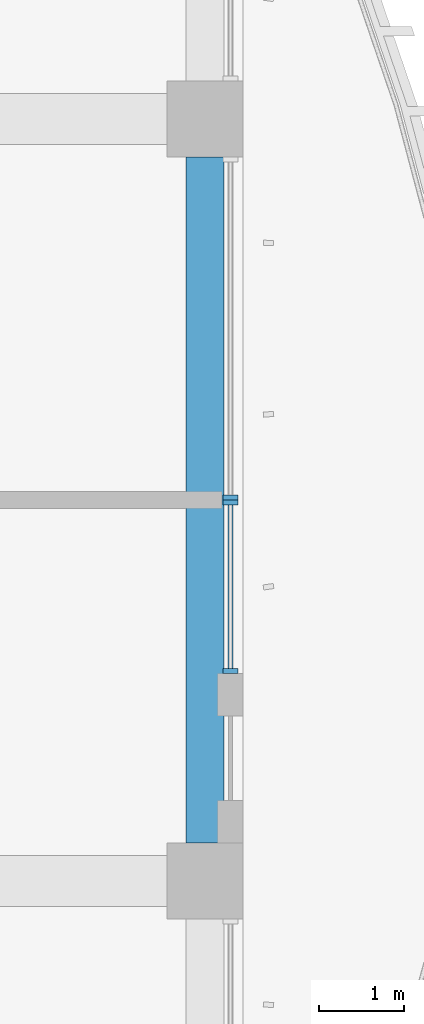
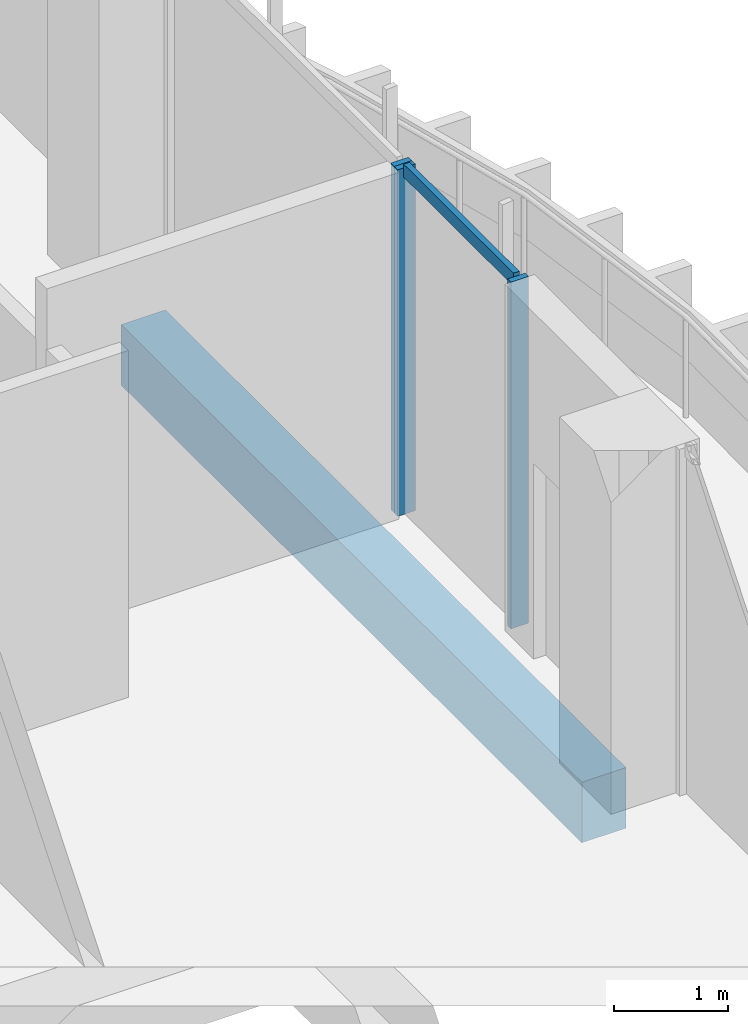
# One storey, part 9 of 29: 4 members, 1 beam, 2 elements without a shape of their own.
"""IFC4 building model written with IfcOpenShell, lengths in metres."""

import ifcopenshell
import ifcopenshell.guid

model = None  # the IFC model being written
_history = None  # IfcOwnerHistory: only IFC2X3 demands one
_inside = {}  # id of a spatial element -> (the spatial element, [elements in it])
_under = {}  # id of a project, library or spatial element -> (it, [spatial elements below it])
_declared = {}  # id of a project -> (the project, [libraries it declares])
_typed = {}  # id of a type object -> (the type object, [elements of that type])
_made_of = {}  # id of a material, layer set ... -> (it, [elements and type objects made of it])


def new_model(schema):
    """Start an empty IFC model of exactly this schema.

    Asked for "IFC4X3", IfcOpenShell would pick the latest addendum, in which some entities
    have other attributes; the version numbers below select the first issue.
    IFC2X3 requires an IfcOwnerHistory on every rooted entity: one is made here for all.
    """
    global model, _history
    if schema == "IFC4X3":
        model = ifcopenshell.file(schema_version=(4, 3, 0, 0))
    else:
        model = ifcopenshell.file(schema=schema)
    _inside.clear()
    _under.clear()
    _declared.clear()
    _typed.clear()
    _made_of.clear()
    _history = None
    if model.schema == "IFC2X3":
        org = make("IfcOrganization", Name="unknown")
        user = make(
            "IfcPersonAndOrganization",
            ThePerson=make("IfcPerson", FamilyName="unknown"),
            TheOrganization=org,
        )
        app = make(
            "IfcApplication",
            ApplicationDeveloper=org,
            Version="unknown",
            ApplicationFullName="unknown",
            ApplicationIdentifier="unknown",
        )
        _history = make(
            "IfcOwnerHistory",
            OwningUser=user,
            OwningApplication=app,
            ChangeAction="ADDED",
            CreationDate=0,
        )
    return model


def make(cls, **values):
    """One entity of the class cls with the attributes given. An attribute that is None is left unset."""
    return model.create_entity(
        cls, **{name: value for name, value in values.items() if value is not None}
    )


def rooted(cls, **values):
    """An entity with a GlobalId (a new one), such as an element, a storey or a relation."""
    return make(cls, GlobalId=ifcopenshell.guid.new(), OwnerHistory=_history, **values)


def si_unit(unit_type, name, prefix=None):
    """IfcSIUnit, for example si_unit("LENGTHUNIT", "METRE", prefix="MILLI")."""
    return make("IfcSIUnit", UnitType=unit_type, Prefix=prefix, Name=name)


def assignment(units):
    """IfcUnitAssignment: the units of a project."""
    return None if units is None else make("IfcUnitAssignment", Units=units)


def point(xyz):
    """IfcCartesianPoint."""
    return None if xyz is None else make("IfcCartesianPoint", Coordinates=xyz)


def direction(xyz):
    """IfcDirection."""
    return None if xyz is None else make("IfcDirection", DirectionRatios=xyz)


def frame(location, z_axis=None, x_axis=None):
    """IfcAxis2Placement3D, a coordinate frame: its origin and axes. An axis left out is left unset."""
    return make(
        "IfcAxis2Placement3D",
        Location=point(location),
        Axis=direction(z_axis),
        RefDirection=direction(x_axis),
    )


def frame_2d(location, x_axis=None):
    """IfcAxis2Placement2D, a coordinate frame in the plane: its origin and x axis."""
    return make(
        "IfcAxis2Placement2D", Location=point(location), RefDirection=direction(x_axis)
    )


def origin():
    """The frame at (0, 0, 0) with its axes left unset."""
    return frame((0.0, 0.0, 0.0))


def origin_2d():
    """The frame at (0, 0) in the plane with its x axis left unset."""
    return frame_2d((0.0, 0.0))


def place(relative_to, where):
    """IfcLocalPlacement: puts the frame where relative to a parent placement (None: the world)."""
    return make(
        "IfcLocalPlacement", PlacementRelTo=relative_to, RelativePlacement=where
    )


def context(
    kind, dimensions, precision=None, world=None, true_north=None, identifier=None
):
    """IfcGeometricRepresentationContext, for example the 3D "Model" context."""
    return make(
        "IfcGeometricRepresentationContext",
        ContextIdentifier=identifier,
        ContextType=kind,
        CoordinateSpaceDimension=dimensions,
        Precision=precision,
        WorldCoordinateSystem=world,
        TrueNorth=true_north,
    )


def subcontext(parent, identifier, kind, view, scale=None):
    """IfcGeometricRepresentationSubContext, for example "Body" below "Model"."""
    return make(
        "IfcGeometricRepresentationSubContext",
        ContextIdentifier=identifier,
        ContextType=kind,
        ParentContext=parent,
        TargetScale=scale,
        TargetView=view,
    )


def project(units=None, contexts=None):
    """IfcProject with its units and contexts."""
    return rooted(
        "IfcProject",
        Name="project",
        RepresentationContexts=contexts,
        UnitsInContext=assignment(units),
    )


def spatial(cls, under=None, at=None, **own):
    """A site, building, storey or space (cls), placed at a placement, below another one or the project."""
    s = rooted(cls, ObjectPlacement=at, **own)
    if under is not None:
        _under.setdefault(under.id(), (under, []))[1].append(s)
    return s


def profile(cls, at=None, kind="AREA", **sizes):
    """A parametric profile (cls). Its sizes go by their IFC names, for example OverallWidth=200.0."""
    return make(cls, ProfileType=kind, Position=at, **sizes)


def rectangle(**sizes):
    """IfcRectangleProfileDef."""
    return profile("IfcRectangleProfileDef", **sizes)


def extrude(swept, where, along, depth):
    """IfcExtrudedAreaSolid: the profile swept, set in the frame where, extruded along a direction by depth."""
    return make(
        "IfcExtrudedAreaSolid",
        SweptArea=swept,
        Position=where,
        ExtrudedDirection=direction(along),
        Depth=depth,
    )


def shape(context_of_items, identifier, shape_type, items):
    """IfcShapeRepresentation: the items that make up one representation, for example the "Body"."""
    return make(
        "IfcShapeRepresentation",
        ContextOfItems=context_of_items,
        RepresentationIdentifier=identifier,
        RepresentationType=shape_type,
        Items=items,
    )


def source(mapping_origin, context_of_items, identifier, shape_type, items):
    """IfcRepresentationMap: a shape defined once, which mapped items show again and again."""
    return make(
        "IfcRepresentationMap",
        MappingOrigin=mapping_origin,
        MappedRepresentation=shape(context_of_items, identifier, shape_type, items),
    )


def transform(
    local_origin,
    x_axis=None,
    y_axis=None,
    z_axis=None,
    scale=None,
    scale2=None,
    scale3=None,
    uniform=True,
):
    """IfcCartesianTransformationOperator3D, or its non-uniform kind. x_axis, y_axis, z_axis: its Axis1, 2, 3."""
    if uniform:
        return make(
            "IfcCartesianTransformationOperator3D",
            Axis1=direction(x_axis),
            Axis2=direction(y_axis),
            LocalOrigin=point(local_origin),
            Scale=scale,
            Axis3=direction(z_axis),
        )
    return make(
        "IfcCartesianTransformationOperator3DnonUniform",
        Axis1=direction(x_axis),
        Axis2=direction(y_axis),
        LocalOrigin=point(local_origin),
        Scale=scale,
        Axis3=direction(z_axis),
        Scale2=scale2,
        Scale3=scale3,
    )


def mapped(mapping_source, mapping_target):
    """IfcMappedItem: shows the shape of a source again, moved by a transform."""
    return make(
        "IfcMappedItem", MappingSource=mapping_source, MappingTarget=mapping_target
    )


def material(Name=None, Category=None):
    """IfcMaterial."""
    return make("IfcMaterial", Name=Name, Category=Category)


def material_profile(
    of_material, cross_section, Name=None, Category=None, Priority=None
):
    """IfcMaterialProfile: a cross section and its material."""
    return make(
        "IfcMaterialProfile",
        Name=Name,
        Material=of_material,
        Profile=cross_section,
        Priority=Priority,
        Category=Category,
    )


def profile_set(profiles, Name=None, composite=None):
    """IfcMaterialProfileSet."""
    return make(
        "IfcMaterialProfileSet",
        Name=Name,
        MaterialProfiles=profiles,
        CompositeProfile=composite,
    )


def made_of(thing, what):
    """Note that an element or type object is made of a material, layer set ...; save() writes the relation."""
    if what is not None:
        _made_of.setdefault(what.id(), (what, []))[1].append(thing)
    return thing


def type_object(cls, material=None, **own):
    """A type object (cls), such as IfcWallType, which elements share."""
    return made_of(rooted(cls, **own), material)


def element(
    cls,
    number,
    at=None,
    inside=None,
    cuts=None,
    type_object=None,
    material=None,
    context=None,
    identifier="Body",
    shape_type=None,
    held_by="IfcProductDefinitionShape",
    body=None,
    shapes=None,
    **own,
):
    """One element of the class cls, such as IfcWall. Its Tag is "e" and its number.

    at: its placement. inside: the storey or other place that contains it. cuts: it is an
    opening in that element (IfcRelVoidsElement). A single representation is given by context,
    identifier, shape_type and body (its items); several are given by shapes. held_by: the class
    of the entity that holds the representations. save() writes the other relations.
    """
    e = rooted(cls, Tag="e%d" % number, ObjectPlacement=at, **own)
    if body is not None:
        shapes = [shape(context, identifier, shape_type, body)]
    if shapes is not None:
        e.Representation = make(held_by, Representations=shapes)
    if inside is not None:
        _inside.setdefault(inside.id(), (inside, []))[1].append(e)
    if cuts is not None:
        rooted(
            "IfcRelVoidsElement", RelatingBuildingElement=cuts, RelatedOpeningElement=e
        )
    if type_object is not None:
        _typed.setdefault(type_object.id(), (type_object, []))[1].append(e)
    return made_of(e, material)


def aggregate(whole, parts):
    """IfcRelAggregates: a whole, such as a stair, and the parts it consists of."""
    return rooted("IfcRelAggregates", RelatingObject=whole, RelatedObjects=parts)


def save(model, path):
    """Write the relations noted so far, then the file.

    IfcRelAggregates (storeys below a building ...), IfcRelContainedInSpatialStructure (elements
    in a storey), IfcRelDefinesByType, IfcRelAssociatesMaterial and IfcRelDeclares: one each for
    every whole, place, type object, material and project.
    """
    for whole, parts in _under.values():
        aggregate(whole, parts)
    for where, things in _inside.values():
        rooted(
            "IfcRelContainedInSpatialStructure",
            RelatedElements=things,
            RelatingStructure=where,
        )
    for kind, things in _typed.values():
        rooted("IfcRelDefinesByType", RelatedObjects=things, RelatingType=kind)
    for what, things in _made_of.values():
        rooted("IfcRelAssociatesMaterial", RelatedObjects=things, RelatingMaterial=what)
    for by, libraries in _declared.values():
        rooted("IfcRelDeclares", RelatingContext=by, RelatedDefinitions=libraries)
    model.write(path)


model = new_model("IFC4")

# Units and contexts
model_context = context("Model", 3, precision=1e-05, world=origin(), true_north=direction((0.0, 1.0)))
body_context = subcontext(model_context, "Body", "Model", "MODEL_VIEW")
ifc_project = project(units=[si_unit("LENGTHUNIT", "METRE"), si_unit("AREAUNIT", "SQUARE_METRE"), si_unit("VOLUMEUNIT", "CUBIC_METRE"), si_unit("PLANEANGLEUNIT", "RADIAN"), si_unit("MASSUNIT", "GRAM", prefix="KILO")], contexts=[model_context])

# Site, building, storey
site_placement = place(None, origin())
site = spatial("IfcSite", under=ifc_project, at=site_placement, CompositionType="ELEMENT")
building_placement = place(site_placement, origin())
building = spatial("IfcBuilding", under=site, at=building_placement, Name="Kilnfold Tower and Market Hall", CompositionType="ELEMENT")
storey_placement = place(building_placement, frame((0.0, 0.0, 79.199951171875)))
storey = spatial("IfcBuildingStorey", under=building, at=storey_placement, Name="L18", CompositionType="ELEMENT", Elevation=79.199951171875)

# Beam
ifc_material_1 = material(Name="Concrete C45", Category="concrete")
ifc_material_profile_1 = material_profile(ifc_material_1, rectangle(XDim=0.449951171875, YDim=0.64990234375, at=origin_2d()), Name="RC 450x650")
ifc_profile_set_1 = profile_set([ifc_material_profile_1], Name="Concrete C45")
beam_type = type_object("IfcBeamType", Name="EDGE BEAM 450X650 C45", PredefinedType="BEAM", material=ifc_profile_set_1)
shared_shape_1 = source(origin(), body_context, "Body", "SweptSolid", [
    extrude(rectangle(XDim=0.449951171875, YDim=0.64990234375, at=origin_2d()), origin(), (0.0, 0.0, 1.0), 8.10009765625),
])
beam_placement = place(storey_placement, frame((32.550048828125, -0.550048828125, -0.60498046875), z_axis=(0.0, 1.0, 0.0), x_axis=(-1.0, 0.0, 0.0)))
element("IfcBeam", 1, at=beam_placement, inside=storey, type_object=beam_type, Name="Beam EB650-B2.102", PredefinedType="BEAM", context=body_context, shape_type="MappedRepresentation", body=[
    mapped(shared_shape_1, transform((0.0, 0.0, 0.0))),
])

# Curtain wall, members
ifc_material_2 = material(Name="Aluminium and double glazing", Category="aluminium")
curtain_wall_type = type_object("IfcCurtainWallType", Name="CW OF1 VALLEY GLAZING", PredefinedType="NOTDEFINED", material=ifc_material_2)
curtain_wall_1_placement = place(storey_placement, origin())
curtain_wall_1 = element("IfcCurtainWall", 2, at=curtain_wall_1_placement, inside=storey, type_object=curtain_wall_type, Name="Curtain wall CW1 L18 E", PredefinedType="NOTDEFINED")
ifc_material_3 = material(Name="Aluminium", Category="aluminium")
ifc_material_profile_2 = material_profile(ifc_material_3, rectangle(XDim=0.06005859375, YDim=0.179931640625, at=origin_2d()), Name="MULLION 60x180")
ifc_profile_set_2 = profile_set([ifc_material_profile_2], Name="Aluminium")
member_type_1 = type_object("IfcMemberType", Name="MULLION 60X180", PredefinedType="MULLION", material=ifc_profile_set_2)
shared_shape_2 = source(origin(), body_context, "Body", "SweptSolid", [
    extrude(rectangle(XDim=0.06005859375, YDim=0.179931640625, at=origin_2d()), origin(), (0.0, 0.0, 1.0), 3.719970703125),
])
member_1_placement = place(storey_placement, frame((32.85009765625, 1.47998046875, 0.0), z_axis=(0.0, 0.0, 1.0), x_axis=(0.0, 1.0, 0.0)))
member_1 = element("IfcMember", 3, at=member_1_placement, type_object=member_type_1, Name="CW1 mullion 1", PredefinedType="MULLION", context=body_context, shape_type="MappedRepresentation", body=[
    mapped(shared_shape_2, transform((0.0, 0.0, 0.0))),
])
member_2_placement = place(storey_placement, frame((32.85009765625, 3.469970703125, 0.0), z_axis=(0.0, 0.0, 1.0), x_axis=(0.0, 1.0, 0.0)))
member_2 = element("IfcMember", 4, at=member_2_placement, type_object=member_type_1, Name="CW1 mullion 2", PredefinedType="MULLION", context=body_context, shape_type="MappedRepresentation", body=[
    mapped(shared_shape_2, transform((0.0, 0.0, 0.0))),
])

# Curtain wall, member
curtain_wall_2_placement = place(storey_placement, origin())
curtain_wall_2 = element("IfcCurtainWall", 5, at=curtain_wall_2_placement, inside=storey, type_object=curtain_wall_type, Name="Curtain wall CW1 L18 E", PredefinedType="NOTDEFINED")
member_3_placement = place(storey_placement, frame((32.85009765625, 3.530029296875, 0.0), z_axis=(0.0, 0.0, 1.0), x_axis=(0.0, 1.0, 0.0)))
member_3 = element("IfcMember", 6, at=member_3_placement, type_object=member_type_1, Name="CW1 mullion 1", PredefinedType="MULLION", context=body_context, shape_type="MappedRepresentation", body=[
    mapped(shared_shape_2, transform((0.0, 0.0, 0.0))),
])
aggregate(curtain_wall_2, [member_3])

# Member
ifc_material_4 = material(Name="Aluminium", Category="aluminium")
ifc_material_profile_3 = material_profile(ifc_material_4, rectangle(XDim=0.06005859375, YDim=0.139892578125, at=origin_2d()), Name="TRANSOM 60x140")
ifc_profile_set_3 = profile_set([ifc_material_profile_3], Name="Aluminium")
member_type_2 = type_object("IfcMemberType", Name="TRANSOM 60X140", PredefinedType="USERDEFINED", material=ifc_profile_set_3)
shared_shape_3 = source(origin(), body_context, "Body", "SweptSolid", [
    extrude(rectangle(XDim=0.06005859375, YDim=0.139892578125, at=origin_2d()), origin(), (0.0, 0.0, 1.0), 1.929931640625),
])
member_4_placement = place(storey_placement, frame((32.85009765625, 1.510009765625, 3.68994140625), z_axis=(0.0, 1.0, 0.0), x_axis=(-1.0, 0.0, 0.0)))
member_4 = element("IfcMember", 7, at=member_4_placement, type_object=member_type_2, Name="CW1 transom 1.2", ObjectType="TRANSOM", PredefinedType="USERDEFINED", context=body_context, shape_type="MappedRepresentation", body=[
    mapped(shared_shape_3, transform((0.0, 0.0, 0.0))),
])

aggregate(curtain_wall_1, [member_1, member_2, member_4])

save(model, "model.ifc")
